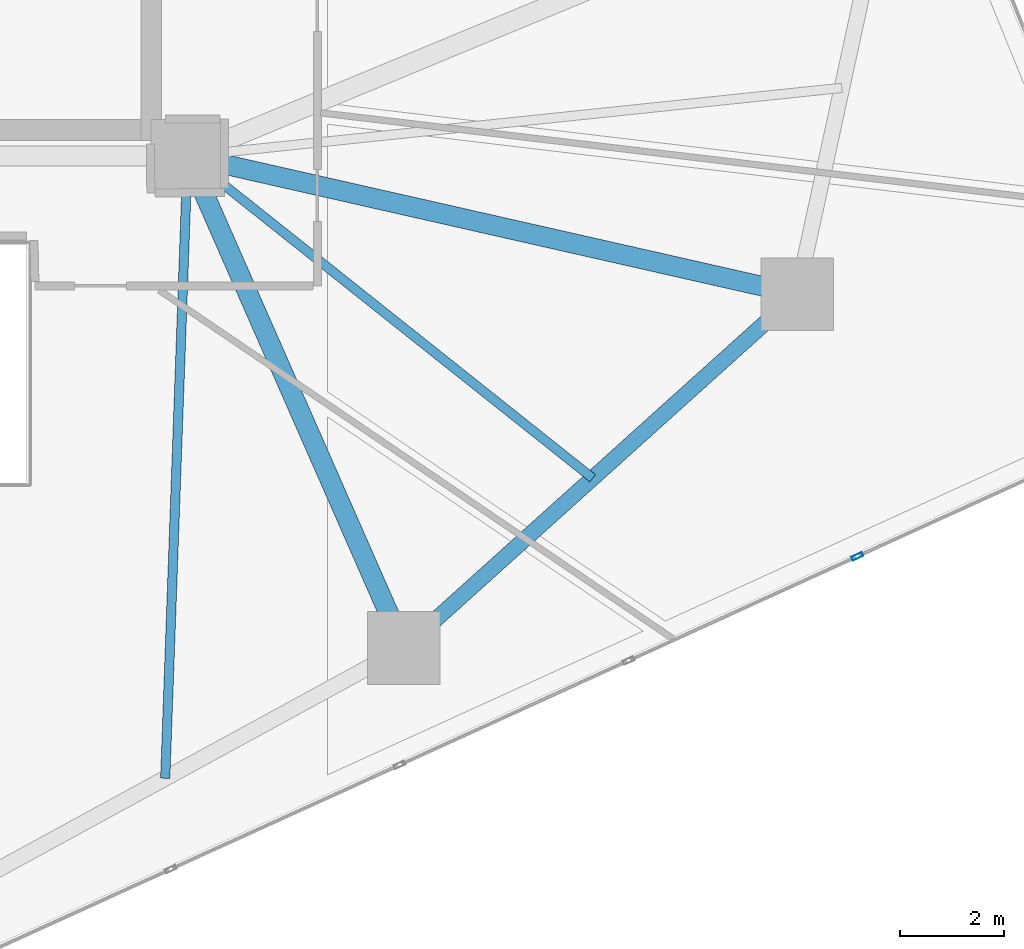
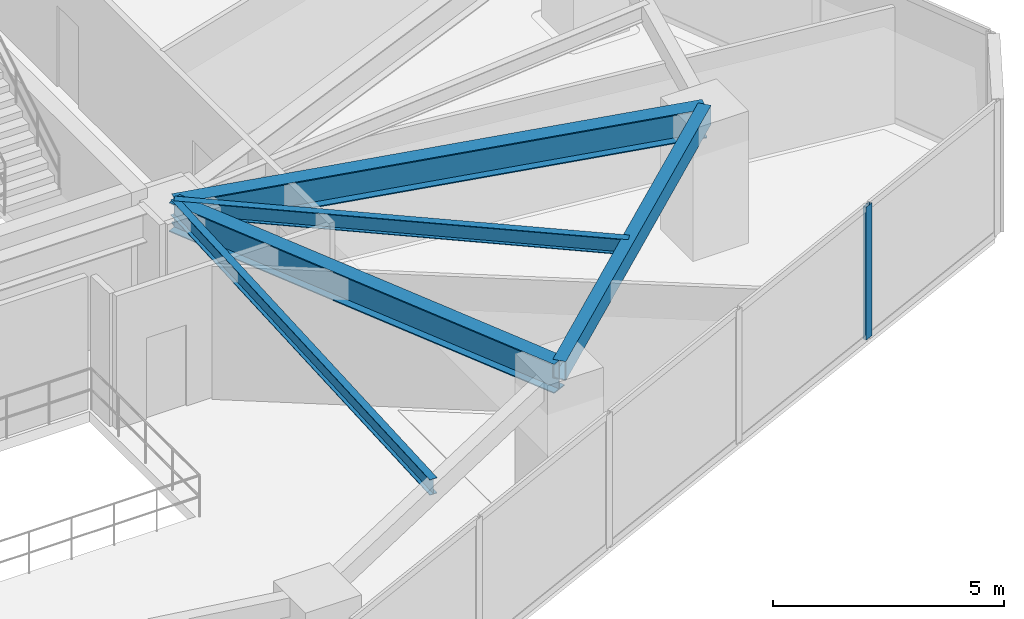
# One storey, part 10 of 24: 5 beams, 1 member, 1 element without a shape of its own.
"""IFC4 building model written with IfcOpenShell, lengths in metres."""

from ifc_helpers import new_model, si_unit, direction, frame, origin, origin_2d, place, context, subcontext, project, spatial, hollow_rectangle, i_section, extrude, source, transform, mapped, material, layer, layer_set, material_profile, profile_set, type_object, type_shapes, element, aggregate, save


model = new_model("IFC4")

# Units and contexts
model_context = context("Model", 3, precision=1e-05, world=origin(), true_north=direction((0.0, 1.0)))
body_context = subcontext(model_context, "Body", "Model", "MODEL_VIEW")
ifc_project = project(units=[si_unit("LENGTHUNIT", "METRE"), si_unit("AREAUNIT", "SQUARE_METRE"), si_unit("VOLUMEUNIT", "CUBIC_METRE"), si_unit("PLANEANGLEUNIT", "RADIAN"), si_unit("MASSUNIT", "GRAM", prefix="KILO")], contexts=[model_context])

# Site, building, storey
site_placement = place(None, origin())
site = spatial("IfcSite", under=ifc_project, at=site_placement, CompositionType="ELEMENT")
building_placement = place(site_placement, origin())
building = spatial("IfcBuilding", under=site, at=building_placement, Name="Talar Marvaseh", CompositionType="ELEMENT")
storey_placement = place(building_placement, frame((0.0, 0.0, 31.60009765625)))
storey = spatial("IfcBuildingStorey", under=building, at=storey_placement, Name="L07", CompositionType="ELEMENT", Elevation=31.60009765625)

# Beams
ifc_material_1 = material(Name="Steel S355", Category="steel")
ifc_material_profile_1 = material_profile(ifc_material_1, hollow_rectangle(XDim=0.300048828125, YDim=0.5, WallThickness=0.02001953125, at=origin_2d()), Name="RHS500x300x20")
ifc_profile_set_1 = profile_set([ifc_material_profile_1], Name="Steel S355")
beam_type_1 = type_object("IfcBeamType", Name="Zone 1 Perimeter Spandrel Beam RHS500x300x20", PredefinedType="SPANDREL", material=ifc_profile_set_1)
beam_1_placement = place(storey_placement, frame((45.0439453125, 22.840087890625, 3.27001953125), z_axis=(-0.743257224494, -0.669005753516, 0.0), x_axis=(0.669005753516, -0.743257224494, 0.0)))
element("IfcBeam", 1, at=beam_1_placement, inside=storey, type_object=beam_type_1, Name="L07 Zone 1 Perimeter Spandrel Beam RHS500x300x20", PredefinedType="SPANDREL", context=body_context, shape_type="SweptSolid", body=[
    extrude(hollow_rectangle(XDim=0.300048828125, YDim=0.5, WallThickness=0.02001953125, at=origin_2d()), origin(), (0.0, 0.0, 1.0), 10.19287109375),
])
ifc_material_profile_2 = material_profile(ifc_material_1, i_section(OverallWidth=0.381103515625, OverallDepth=0.77294921875, WebThickness=0.0166015625, FlangeThickness=0.027099609375, at=origin_2d()), Name="W760x257")
ifc_profile_set_2 = profile_set([ifc_material_profile_2], Name="Steel S355")
beam_type_2 = type_object("IfcBeamType", Name="Zone 1 Radial Floor Girder W760x257", PredefinedType="BEAM", material=ifc_profile_set_2)
beam_2_placement = place(storey_placement, frame((45.0439453125, 22.840087890625, 3.13330078125), z_axis=(-0.975296900374, 0.220898067263, 0.0), x_axis=(-0.220898067263, -0.975296900374, 0.0)))
element("IfcBeam", 2, at=beam_2_placement, inside=storey, type_object=beam_type_2, Name="L07 Zone 1 Radial Floor Girder W760x257", PredefinedType="BEAM", context=body_context, shape_type="SweptSolid", body=[
    extrude(i_section(OverallWidth=0.381103515625, OverallDepth=0.77294921875, WebThickness=0.0166015625, FlangeThickness=0.027099609375, at=origin_2d()), origin(), (0.0, 0.0, 1.0), 12.041259765625),
])
beam_3_placement = place(storey_placement, frame((37.468017578125, 16.02099609375, 3.13330078125), z_axis=(-0.402512625991, 0.915414433969, 0.0), x_axis=(-0.915414433969, -0.402512625991, 0.0)))
element("IfcBeam", 3, at=beam_3_placement, inside=storey, type_object=beam_type_2, Name="L07 Zone 1 Radial Floor Girder W760x257", PredefinedType="BEAM", context=body_context, shape_type="SweptSolid", body=[
    extrude(i_section(OverallWidth=0.381103515625, OverallDepth=0.77294921875, WebThickness=0.0166015625, FlangeThickness=0.027099609375, at=origin_2d()), origin(), (0.0, 0.0, 1.0), 10.35498046875),
])
ifc_material_profile_3 = material_profile(ifc_material_1, i_section(OverallWidth=0.179931640625, OverallDepth=0.4130859375, WebThickness=0.009765625, FlangeThickness=0.01611328125, at=origin_2d()), Name="W410x75")
ifc_profile_set_3 = profile_set([ifc_material_profile_3], Name="Steel S355")
beam_type_3 = type_object("IfcBeamType", Name="Zone 1 Secondary Floor Joist W410x75", PredefinedType="JOIST", material=ifc_profile_set_3)
beam_4_placement = place(storey_placement, frame((41.1044921875, 19.294189453125, 3.3134765625), z_axis=(-0.782711925261, 0.622384159546, 0.0), x_axis=(-0.622384159546, -0.782711925261, 0.0)))
element("IfcBeam", 4, at=beam_4_placement, inside=storey, type_object=beam_type_3, Name="L07 Zone 1 Secondary Floor Joist W410x75", PredefinedType="JOIST", context=body_context, shape_type="SweptSolid", body=[
    extrude(i_section(OverallWidth=0.179931640625, OverallDepth=0.4130859375, WebThickness=0.009765625, FlangeThickness=0.01611328125, at=origin_2d()), origin(), (0.0, 0.0, 1.0), 9.970947265625),
])
beam_5_placement = place(storey_placement, frame((32.86962890625, 13.511474609375, 3.3134765625), z_axis=(0.035879540639, 0.999356121992, 0.0), x_axis=(-0.999356121992, 0.035879540639, 0.0)))
element("IfcBeam", 5, at=beam_5_placement, inside=storey, type_object=beam_type_3, Name="L07 Zone 1 Secondary Floor Joist W410x75", PredefinedType="JOIST", context=body_context, shape_type="SweptSolid", body=[
    extrude(i_section(OverallWidth=0.179931640625, OverallDepth=0.4130859375, WebThickness=0.009765625, FlangeThickness=0.01611328125, at=origin_2d()), origin(), (0.0, 0.0, 1.0), 11.996337890625),
])

# Curtain wall, member
ifc_material_2 = material(Name="Architectural Aluminium", Category="aluminium")
ifc_layer = layer(ifc_material_2, 0.219970703125)
ifc_layer_set = layer_set([ifc_layer], Name="Architectural Aluminium")
curtain_wall_type = type_object("IfcCurtainWallType", Name="Unitised Low-E Museum Curtain Wall Z1", PredefinedType="NOTDEFINED", material=ifc_layer_set)
curtain_wall_placement = place(storey_placement, origin())
curtain_wall = element("IfcCurtainWall", 6, at=curtain_wall_placement, inside=storey, type_object=curtain_wall_type, Name="L07 Unitised Low-E Museum Curtain Wall Z1", PredefinedType="NOTDEFINED")
ifc_material_profile_4 = material_profile(ifc_material_2, hollow_rectangle(XDim=0.080078125, YDim=0.219970703125, WallThickness=0.0048828125, at=origin_2d()), Name="RHS220x80x5")
ifc_profile_set_4 = profile_set([ifc_material_profile_4], Name="Architectural Aluminium")
member_type = type_object("IfcMemberType", Name="Unitised Curtain Wall Heavy Mullion RHS220x80x5", PredefinedType="MULLION", material=ifc_profile_set_4)
shared_shape = source(origin(), body_context, "Body", "SweptSolid", [
    extrude(hollow_rectangle(XDim=0.080078125, YDim=0.219970703125, WallThickness=0.0048828125, at=origin_2d()), origin(), (0.0, 0.0, 1.0), 3.52001953125),
])
type_shapes(member_type, [shared_shape])
member_placement = place(storey_placement, frame((46.20458984375, 17.7880859375, 0.0), z_axis=(0.0, 0.0, 1.0), x_axis=(0.414554775033, -0.910024361486, 0.0)))
member = element("IfcMember", 7, at=member_placement, type_object=member_type, Name="CW-Z1 mullion 2", PredefinedType="MULLION", context=body_context, shape_type="MappedRepresentation", body=[
    mapped(shared_shape, transform((0.0, 0.0, 0.0), x_axis=(1.0, 0.0, 0.0), y_axis=(0.0, 1.0, 0.0), z_axis=(0.0, 0.0, 1.0), scale=1.0)),
])
aggregate(curtain_wall, [member])

save(model, "model.ifc")
